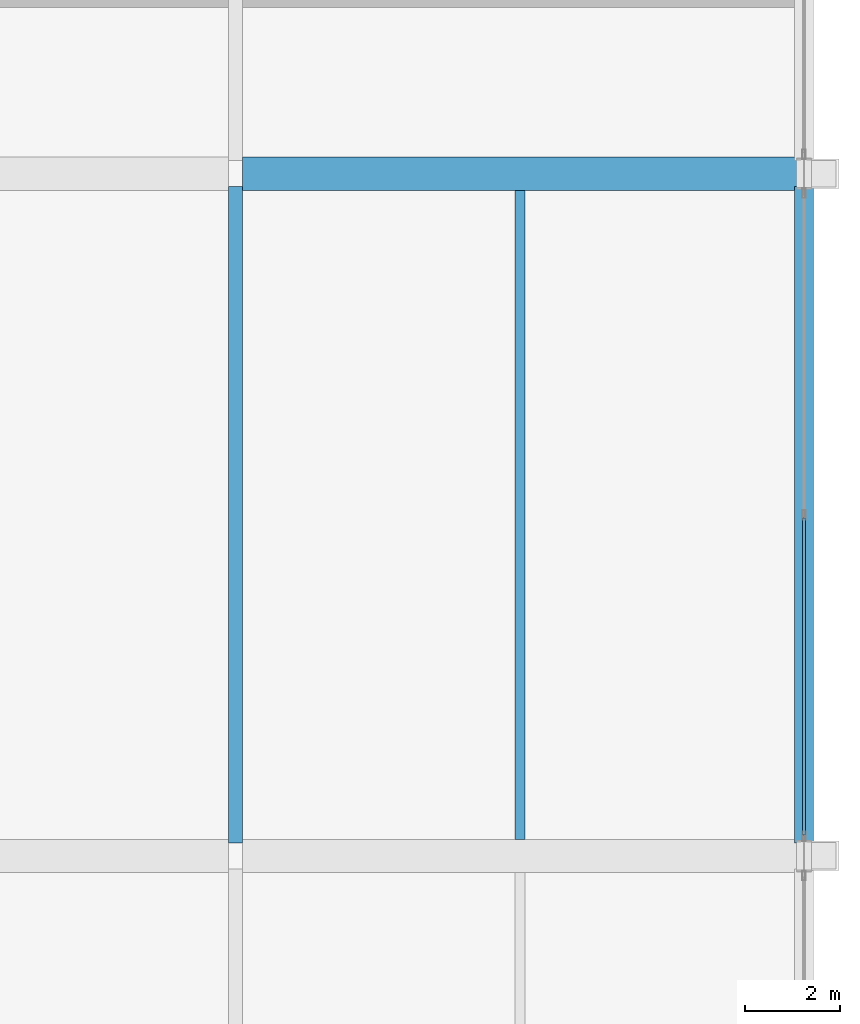
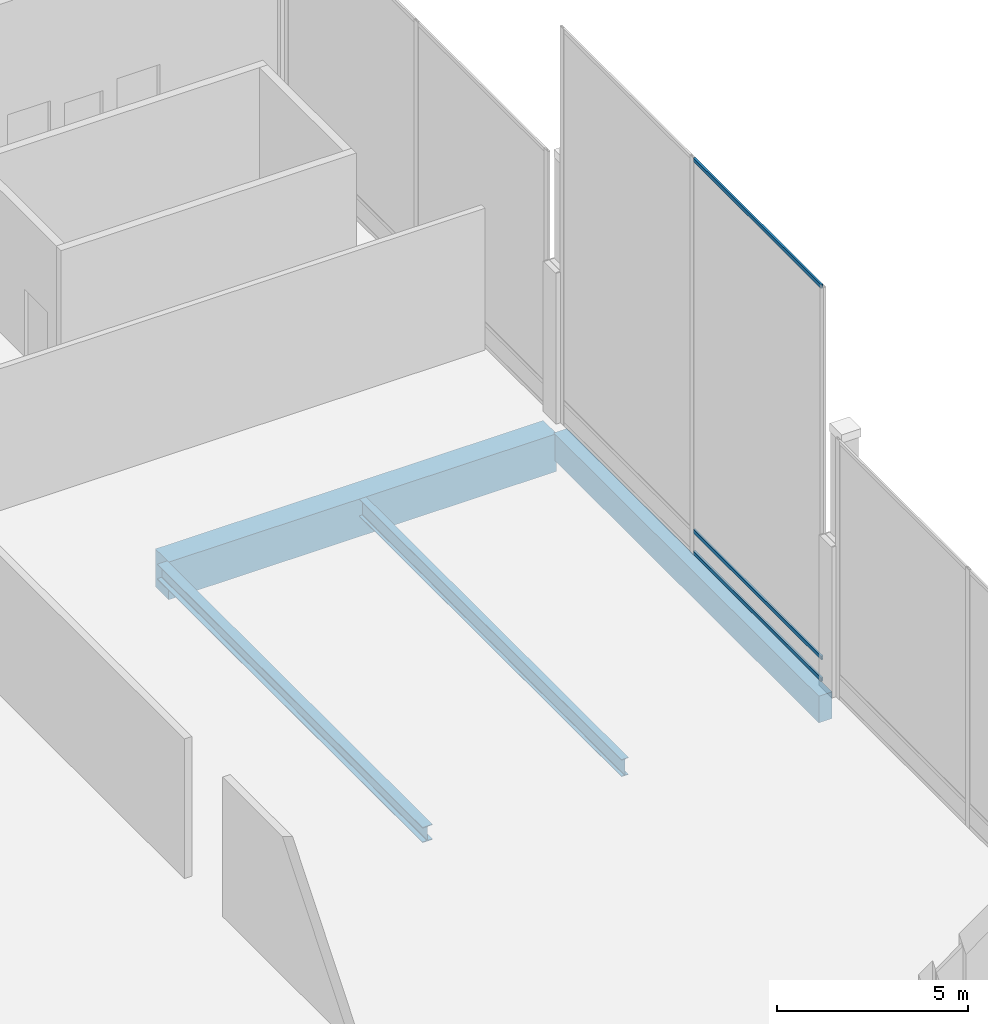
# One storey, part 94 of 193: 4 beams, 3 members, 1 element without a shape of its own.
"""IFC4 building model written with IfcOpenShell, lengths in metres."""

import ifcopenshell
import ifcopenshell.guid

model = None  # the IFC model being written
_history = None  # IfcOwnerHistory: only IFC2X3 demands one
_inside = {}  # id of a spatial element -> (the spatial element, [elements in it])
_under = {}  # id of a project, library or spatial element -> (it, [spatial elements below it])
_declared = {}  # id of a project -> (the project, [libraries it declares])
_typed = {}  # id of a type object -> (the type object, [elements of that type])
_made_of = {}  # id of a material, layer set ... -> (it, [elements and type objects made of it])


def new_model(schema):
    """Start an empty IFC model of exactly this schema.

    Asked for "IFC4X3", IfcOpenShell would pick the latest addendum, in which some entities
    have other attributes; the version numbers below select the first issue.
    IFC2X3 requires an IfcOwnerHistory on every rooted entity: one is made here for all.
    """
    global model, _history
    if schema == "IFC4X3":
        model = ifcopenshell.file(schema_version=(4, 3, 0, 0))
    else:
        model = ifcopenshell.file(schema=schema)
    _inside.clear()
    _under.clear()
    _declared.clear()
    _typed.clear()
    _made_of.clear()
    _history = None
    if model.schema == "IFC2X3":
        org = make("IfcOrganization", Name="unknown")
        user = make(
            "IfcPersonAndOrganization",
            ThePerson=make("IfcPerson", FamilyName="unknown"),
            TheOrganization=org,
        )
        app = make(
            "IfcApplication",
            ApplicationDeveloper=org,
            Version="unknown",
            ApplicationFullName="unknown",
            ApplicationIdentifier="unknown",
        )
        _history = make(
            "IfcOwnerHistory",
            OwningUser=user,
            OwningApplication=app,
            ChangeAction="ADDED",
            CreationDate=0,
        )
    return model


def make(cls, **values):
    """One entity of the class cls with the attributes given. An attribute that is None is left unset."""
    return model.create_entity(
        cls, **{name: value for name, value in values.items() if value is not None}
    )


def rooted(cls, **values):
    """An entity with a GlobalId (a new one), such as an element, a storey or a relation."""
    return make(cls, GlobalId=ifcopenshell.guid.new(), OwnerHistory=_history, **values)


def si_unit(unit_type, name, prefix=None):
    """IfcSIUnit, for example si_unit("LENGTHUNIT", "METRE", prefix="MILLI")."""
    return make("IfcSIUnit", UnitType=unit_type, Prefix=prefix, Name=name)


def assignment(units):
    """IfcUnitAssignment: the units of a project."""
    return None if units is None else make("IfcUnitAssignment", Units=units)


def point(xyz):
    """IfcCartesianPoint."""
    return None if xyz is None else make("IfcCartesianPoint", Coordinates=xyz)


def direction(xyz):
    """IfcDirection."""
    return None if xyz is None else make("IfcDirection", DirectionRatios=xyz)


def frame(location, z_axis=None, x_axis=None):
    """IfcAxis2Placement3D, a coordinate frame: its origin and axes. An axis left out is left unset."""
    return make(
        "IfcAxis2Placement3D",
        Location=point(location),
        Axis=direction(z_axis),
        RefDirection=direction(x_axis),
    )


def frame_2d(location, x_axis=None):
    """IfcAxis2Placement2D, a coordinate frame in the plane: its origin and x axis."""
    return make(
        "IfcAxis2Placement2D", Location=point(location), RefDirection=direction(x_axis)
    )


def origin():
    """The frame at (0, 0, 0) with its axes left unset."""
    return frame((0.0, 0.0, 0.0))


def origin_2d():
    """The frame at (0, 0) in the plane with its x axis left unset."""
    return frame_2d((0.0, 0.0))


def place(relative_to, where):
    """IfcLocalPlacement: puts the frame where relative to a parent placement (None: the world)."""
    return make(
        "IfcLocalPlacement", PlacementRelTo=relative_to, RelativePlacement=where
    )


def context(
    kind, dimensions, precision=None, world=None, true_north=None, identifier=None
):
    """IfcGeometricRepresentationContext, for example the 3D "Model" context."""
    return make(
        "IfcGeometricRepresentationContext",
        ContextIdentifier=identifier,
        ContextType=kind,
        CoordinateSpaceDimension=dimensions,
        Precision=precision,
        WorldCoordinateSystem=world,
        TrueNorth=true_north,
    )


def subcontext(parent, identifier, kind, view, scale=None):
    """IfcGeometricRepresentationSubContext, for example "Body" below "Model"."""
    return make(
        "IfcGeometricRepresentationSubContext",
        ContextIdentifier=identifier,
        ContextType=kind,
        ParentContext=parent,
        TargetScale=scale,
        TargetView=view,
    )


def project(units=None, contexts=None):
    """IfcProject with its units and contexts."""
    return rooted(
        "IfcProject",
        Name="project",
        RepresentationContexts=contexts,
        UnitsInContext=assignment(units),
    )


def spatial(cls, under=None, at=None, **own):
    """A site, building, storey or space (cls), placed at a placement, below another one or the project."""
    s = rooted(cls, ObjectPlacement=at, **own)
    if under is not None:
        _under.setdefault(under.id(), (under, []))[1].append(s)
    return s


def profile(cls, at=None, kind="AREA", **sizes):
    """A parametric profile (cls). Its sizes go by their IFC names, for example OverallWidth=200.0."""
    return make(cls, ProfileType=kind, Position=at, **sizes)


def rectangle(**sizes):
    """IfcRectangleProfileDef."""
    return profile("IfcRectangleProfileDef", **sizes)


def hollow_rectangle(**sizes):
    """IfcRectangleHollowProfileDef."""
    return profile("IfcRectangleHollowProfileDef", **sizes)


def i_section(**sizes):
    """IfcIShapeProfileDef."""
    return profile("IfcIShapeProfileDef", **sizes)


def extrude(swept, where, along, depth):
    """IfcExtrudedAreaSolid: the profile swept, set in the frame where, extruded along a direction by depth."""
    return make(
        "IfcExtrudedAreaSolid",
        SweptArea=swept,
        Position=where,
        ExtrudedDirection=direction(along),
        Depth=depth,
    )


def shape(context_of_items, identifier, shape_type, items):
    """IfcShapeRepresentation: the items that make up one representation, for example the "Body"."""
    return make(
        "IfcShapeRepresentation",
        ContextOfItems=context_of_items,
        RepresentationIdentifier=identifier,
        RepresentationType=shape_type,
        Items=items,
    )


def material(Name=None, Category=None):
    """IfcMaterial."""
    return make("IfcMaterial", Name=Name, Category=Category)


def material_profile(
    of_material, cross_section, Name=None, Category=None, Priority=None
):
    """IfcMaterialProfile: a cross section and its material."""
    return make(
        "IfcMaterialProfile",
        Name=Name,
        Material=of_material,
        Profile=cross_section,
        Priority=Priority,
        Category=Category,
    )


def profile_set(profiles, Name=None, composite=None):
    """IfcMaterialProfileSet."""
    return make(
        "IfcMaterialProfileSet",
        Name=Name,
        MaterialProfiles=profiles,
        CompositeProfile=composite,
    )


def made_of(thing, what):
    """Note that an element or type object is made of a material, layer set ...; save() writes the relation."""
    if what is not None:
        _made_of.setdefault(what.id(), (what, []))[1].append(thing)
    return thing


def type_object(cls, material=None, **own):
    """A type object (cls), such as IfcWallType, which elements share."""
    return made_of(rooted(cls, **own), material)


def element(
    cls,
    number,
    at=None,
    inside=None,
    cuts=None,
    type_object=None,
    material=None,
    context=None,
    identifier="Body",
    shape_type=None,
    held_by="IfcProductDefinitionShape",
    body=None,
    shapes=None,
    **own,
):
    """One element of the class cls, such as IfcWall. Its Tag is "e" and its number.

    at: its placement. inside: the storey or other place that contains it. cuts: it is an
    opening in that element (IfcRelVoidsElement). A single representation is given by context,
    identifier, shape_type and body (its items); several are given by shapes. held_by: the class
    of the entity that holds the representations. save() writes the other relations.
    """
    e = rooted(cls, Tag="e%d" % number, ObjectPlacement=at, **own)
    if body is not None:
        shapes = [shape(context, identifier, shape_type, body)]
    if shapes is not None:
        e.Representation = make(held_by, Representations=shapes)
    if inside is not None:
        _inside.setdefault(inside.id(), (inside, []))[1].append(e)
    if cuts is not None:
        rooted(
            "IfcRelVoidsElement", RelatingBuildingElement=cuts, RelatedOpeningElement=e
        )
    if type_object is not None:
        _typed.setdefault(type_object.id(), (type_object, []))[1].append(e)
    return made_of(e, material)


def aggregate(whole, parts):
    """IfcRelAggregates: a whole, such as a stair, and the parts it consists of."""
    return rooted("IfcRelAggregates", RelatingObject=whole, RelatedObjects=parts)


def save(model, path):
    """Write the relations noted so far, then the file.

    IfcRelAggregates (storeys below a building ...), IfcRelContainedInSpatialStructure (elements
    in a storey), IfcRelDefinesByType, IfcRelAssociatesMaterial and IfcRelDeclares: one each for
    every whole, place, type object, material and project.
    """
    for whole, parts in _under.values():
        aggregate(whole, parts)
    for where, things in _inside.values():
        rooted(
            "IfcRelContainedInSpatialStructure",
            RelatedElements=things,
            RelatingStructure=where,
        )
    for kind, things in _typed.values():
        rooted("IfcRelDefinesByType", RelatedObjects=things, RelatingType=kind)
    for what, things in _made_of.values():
        rooted("IfcRelAssociatesMaterial", RelatedObjects=things, RelatingMaterial=what)
    for by, libraries in _declared.values():
        rooted("IfcRelDeclares", RelatingContext=by, RelatedDefinitions=libraries)
    model.write(path)


model = new_model("IFC4")

# Units and contexts
model_context = context("Model", 3, precision=1e-05, world=origin(), true_north=direction((0.0, 1.0)))
body_context = subcontext(model_context, "Body", "Model", "MODEL_VIEW")
ifc_project = project(units=[si_unit("LENGTHUNIT", "METRE"), si_unit("AREAUNIT", "SQUARE_METRE"), si_unit("VOLUMEUNIT", "CUBIC_METRE"), si_unit("PLANEANGLEUNIT", "RADIAN"), si_unit("MASSUNIT", "GRAM", prefix="KILO")], contexts=[model_context])

# Site, building, storey
site_placement = place(None, origin())
site = spatial("IfcSite", under=ifc_project, at=site_placement, CompositionType="ELEMENT")
building_placement = place(site_placement, origin())
building = spatial("IfcBuilding", under=site, at=building_placement, Name="Cendralis Lancet Convention Centre", CompositionType="ELEMENT")
storey_placement = place(building_placement, frame((0.0, 0.0, 10.199951171875)))
storey = spatial("IfcBuildingStorey", under=building, at=storey_placement, Name="L02", CompositionType="ELEMENT", Elevation=10.199951171875)

# Curtain wall, members
ifc_material_1 = material(Name="Anodised bronze architectural aluminium", Category="aluminium")
curtain_wall_type = type_object("IfcCurtainWallType", Name="ARC-CW-BL02", PredefinedType="USERDEFINED", material=ifc_material_1)
curtain_wall_placement = place(storey_placement, origin())
curtain_wall = element("IfcCurtainWall", 1, at=curtain_wall_placement, inside=storey, type_object=curtain_wall_type, Name="L02 Curtain Wall CW-BL2 #161", ObjectType="CURTAIN WALL", PredefinedType="USERDEFINED")
ifc_material_profile_1 = material_profile(ifc_material_1, hollow_rectangle(XDim=0.06005859375, YDim=0.1201171875, WallThickness=0.00390625, at=origin_2d()), Name="AL-TRAN 60x120x4.0")
ifc_profile_set_1 = profile_set([ifc_material_profile_1], Name="Anodised bronze architectural aluminium")
member_type = type_object("IfcMemberType", Name="ARC-CW-TR01", PredefinedType="USERDEFINED", material=ifc_profile_set_1)
member_1_placement = place(storey_placement, frame((208.800048828125, 115.1298828125, 0.06005859375), z_axis=(0.0, -1.0, 0.0), x_axis=(1.0, 0.0, 0.0)))
member_1 = element("IfcMember", 2, at=member_1_placement, type_object=member_type, Name="Transom CW2-CW-BL2-L02-161-T1BOT", ObjectType="TRANSOM", PredefinedType="USERDEFINED", context=body_context, shape_type="SweptSolid", body=[
    extrude(hollow_rectangle(XDim=0.06005859375, YDim=0.1201171875, WallThickness=0.00390625, at=origin_2d()), origin(), (0.0, 0.0, 1.0), 6.684814453125),
])
member_2_placement = place(storey_placement, frame((208.800048828125, 115.1298828125, 0.75), z_axis=(0.0, -1.0, 0.0), x_axis=(1.0, 0.0, 0.0)))
member_2 = element("IfcMember", 3, at=member_2_placement, type_object=member_type, Name="Transom CW2-CW-BL2-L02-161-T1MID", ObjectType="TRANSOM", PredefinedType="USERDEFINED", context=body_context, shape_type="SweptSolid", body=[
    extrude(hollow_rectangle(XDim=0.06005859375, YDim=0.1201171875, WallThickness=0.00390625, at=origin_2d()), origin(), (0.0, 0.0, 1.0), 6.684814453125),
])
member_3_placement = place(storey_placement, frame((208.800048828125, 115.1298828125, 12.590087890625), z_axis=(0.0, -1.0, 0.0), x_axis=(1.0, 0.0, 0.0)))
member_3 = element("IfcMember", 4, at=member_3_placement, type_object=member_type, Name="Transom CW2-CW-BL2-L02-161-T1TOP", ObjectType="TRANSOM", PredefinedType="USERDEFINED", context=body_context, shape_type="SweptSolid", body=[
    extrude(hollow_rectangle(XDim=0.06005859375, YDim=0.1201171875, WallThickness=0.00390625, at=origin_2d()), origin(), (0.0, 0.0, 1.0), 6.684814453125),
])
aggregate(curtain_wall, [member_1, member_2, member_3])

# Beams
ifc_material_2 = material(Name="Concrete G40 (C40/50)", Category="concrete")
ifc_material_profile_2 = material_profile(ifc_material_2, rectangle(XDim=0.699951171875, YDim=1.199951171875, at=origin_2d()), Name="RCB 700x1200")
ifc_profile_set_2 = profile_set([ifc_material_profile_2], Name="Concrete G40 (C40/50)")
beam_type_1 = type_object("IfcBeamType", Name="STR-BM-BG01", PredefinedType="BEAM", material=ifc_profile_set_2)
beam_1_placement = place(storey_placement, frame((196.949951171875, 122.39990234375, -0.89990234375), z_axis=(1.0, 0.0, 0.0), x_axis=(0.0, 1.0, 0.0)))
element("IfcBeam", 5, at=beam_1_placement, inside=storey, type_object=beam_type_1, Name="L02 Beam BG01 #1714", PredefinedType="BEAM", context=body_context, shape_type="SweptSolid", body=[
    extrude(rectangle(XDim=0.699951171875, YDim=1.199951171875, at=origin_2d()), origin(), (0.0, 0.0, 1.0), 11.699951171875),
])
ifc_material_3 = material(Name="Steel S355", Category="steel")
ifc_material_profile_3 = material_profile(ifc_material_3, i_section(OverallWidth=0.300048828125, OverallDepth=0.489990234375, WebThickness=0.011962890625, FlangeThickness=0.02294921875, FilletRadius=0.027099609375, at=origin_2d()), Name="HEA 500")
ifc_profile_set_3 = profile_set([ifc_material_profile_3], Name="Steel S355")
beam_type_2 = type_object("IfcBeamType", Name="STR-BM-SG12", PredefinedType="BEAM", material=ifc_profile_set_3)
beam_2_placement = place(storey_placement, frame((196.800048828125, 108.27490234375, -0.544921875), z_axis=(0.0, 1.0, 0.0), x_axis=(-1.0, 0.0, 0.0)))
element("IfcBeam", 6, at=beam_2_placement, inside=storey, type_object=beam_type_2, Name="L02 Beam SG12 #1737", PredefinedType="BEAM", context=body_context, shape_type="SweptSolid", body=[
    extrude(i_section(OverallWidth=0.300048828125, OverallDepth=0.489990234375, WebThickness=0.011962890625, FlangeThickness=0.02294921875, FilletRadius=0.027099609375, at=origin_2d()), origin(), (0.0, 0.0, 1.0), 13.85009765625),
])
ifc_material_profile_4 = material_profile(ifc_material_3, i_section(OverallWidth=0.2099609375, OverallDepth=0.550048828125, WebThickness=0.010986328125, FlangeThickness=0.01708984375, FilletRadius=0.02392578125, at=origin_2d()), Name="IPE 550")
ifc_profile_set_4 = profile_set([ifc_material_profile_4], Name="Steel S355")
beam_type_3 = type_object("IfcBeamType", Name="STR-JS-BJ05", PredefinedType="JOIST", material=ifc_profile_set_4)
beam_3_placement = place(storey_placement, frame((202.800048828125, 108.35009765625, -0.574951171875), z_axis=(0.0, 1.0, 0.0), x_axis=(-1.0, 0.0, 0.0)))
element("IfcBeam", 7, at=beam_3_placement, inside=storey, type_object=beam_type_3, Name="L02 Beam BJ05 #1754", PredefinedType="JOIST", context=body_context, shape_type="SweptSolid", body=[
    extrude(i_section(OverallWidth=0.2099609375, OverallDepth=0.550048828125, WebThickness=0.010986328125, FlangeThickness=0.01708984375, FilletRadius=0.02392578125, at=origin_2d()), origin(), (0.0, 0.0, 1.0), 13.699951171875),
])
ifc_material_profile_5 = material_profile(ifc_material_2, rectangle(XDim=0.39990234375, YDim=0.85009765625, at=origin_2d()), Name="RCB 400x850")
ifc_profile_set_5 = profile_set([ifc_material_profile_5], Name="Concrete G40 (C40/50)")
beam_type_4 = type_object("IfcBeamType", Name="STR-SP-SP02", PredefinedType="SPANDREL", material=ifc_profile_set_5)
beam_4_placement = place(storey_placement, frame((208.800048828125, 108.27490234375, -0.724853515625), z_axis=(0.0, 1.0, 0.0), x_axis=(-1.0, 0.0, 0.0)))
element("IfcBeam", 8, at=beam_4_placement, inside=storey, type_object=beam_type_4, Name="L02 Beam SP02 #1740", PredefinedType="SPANDREL", context=body_context, shape_type="SweptSolid", body=[
    extrude(rectangle(XDim=0.39990234375, YDim=0.85009765625, at=origin_2d()), origin(), (0.0, 0.0, 1.0), 13.85009765625),
])

save(model, "model.ifc")
